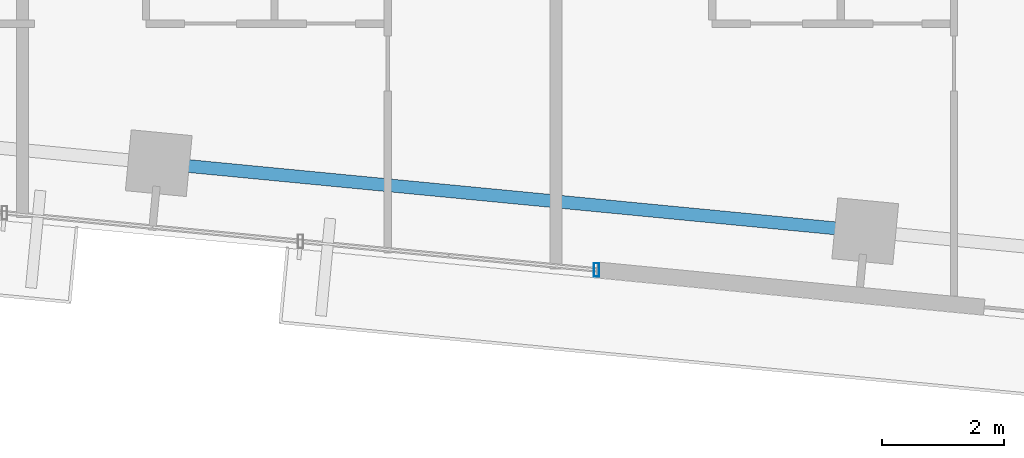
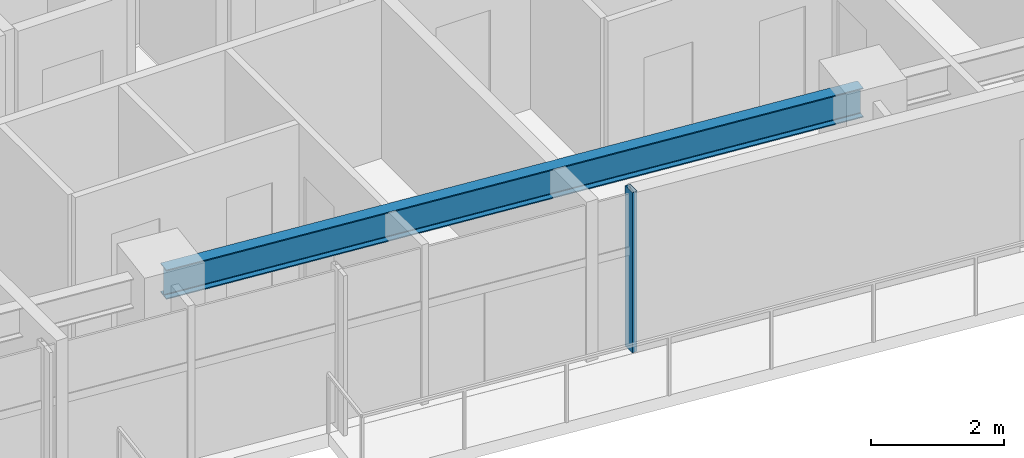
# One storey, part 8 of 19: 1 beam, 1 member, 1 element without a shape of its own.
"""IFC4 building model written with IfcOpenShell, lengths in metres."""

from ifc_helpers import new_model, si_unit, direction, frame, origin, origin_2d, place, context, subcontext, project, spatial, hollow_rectangle, i_section, extrude, source, transform, mapped, material, material_profile, profile_set, type_object, type_shapes, element, aggregate, save


model = new_model("IFC4")

# Units and contexts
model_context = context("Model", 3, precision=1e-05, world=origin(), true_north=direction((0.0, 1.0)))
body_context = subcontext(model_context, "Body", "Model", "MODEL_VIEW")
ifc_project = project(units=[si_unit("LENGTHUNIT", "METRE"), si_unit("AREAUNIT", "SQUARE_METRE"), si_unit("VOLUMEUNIT", "CUBIC_METRE"), si_unit("PLANEANGLEUNIT", "RADIAN"), si_unit("MASSUNIT", "GRAM", prefix="KILO")], contexts=[model_context])

# Site, building, storey
site_placement = place(None, origin())
site = spatial("IfcSite", under=ifc_project, at=site_placement, CompositionType="ELEMENT")
building_placement = place(site_placement, origin())
building = spatial("IfcBuilding", under=site, at=building_placement, Name="Astriad Promenade Condominiums", CompositionType="ELEMENT")
storey_placement = place(building_placement, frame((0.0, 0.0, 140.60009765625)))
storey = spatial("IfcBuildingStorey", under=building, at=storey_placement, Name="L40", CompositionType="ELEMENT", Elevation=140.60009765625)

# Beam
ifc_material_1 = material(Name="Steel ASTM A992 Grade 50", Category="steel")
ifc_material_profile_1 = material_profile(ifc_material_1, i_section(OverallWidth=0.210693359375, OverallDepth=0.53955078125, WebThickness=0.01171875, FlangeThickness=0.018798828125, FilletRadius=0.0166015625, at=origin_2d()), Name="W21X73")
ifc_profile_set_1 = profile_set([ifc_material_profile_1], Name="Steel ASTM A992 Grade 50")
beam_type = type_object("IfcBeamType", Name="STEEL SPANDREL BEAM W21X73", PredefinedType="SPANDREL", material=ifc_profile_set_1)
shared_shape_1 = source(origin(), body_context, "Body", "SweptSolid", [
    extrude(i_section(OverallWidth=0.210693359375, OverallDepth=0.53955078125, WebThickness=0.01171875, FlangeThickness=0.018798828125, FilletRadius=0.0166015625, at=origin_2d()), origin(), (0.0, 0.0, 1.0), 11.52001953125),
])
type_shapes(beam_type, [shared_shape_1])
beam_placement = place(storey_placement, frame((32.013671875, 8.2158203125, 2.670166015625), z_axis=(0.995397412028, -0.095833147335, 0.0), x_axis=(0.095833147335, 0.995397412028, 0.0)))
element("IfcBeam", 1, at=beam_placement, inside=storey, type_object=beam_type, Name="Perimeter Spandrel Beam SP-S3-L40", PredefinedType="SPANDREL", context=body_context, shape_type="MappedRepresentation", body=[
    mapped(shared_shape_1, transform((0.0, 0.0, 0.0), scale=1.0)),
])

# Curtain wall, member
ifc_material_2 = material(Name="Anodised aluminium Black Dark Glass Unitised", Category="aluminium")
curtain_wall_type = type_object("IfcCurtainWallType", Name="CW-B34-DARK", PredefinedType="USERDEFINED", material=ifc_material_2)
curtain_wall_placement = place(storey_placement, origin())
curtain_wall = element("IfcCurtainWall", 2, at=curtain_wall_placement, inside=storey, type_object=curtain_wall_type, Name="CW-L40-S", ObjectType="UNITISED_CURTAIN_WALL", PredefinedType="USERDEFINED")
ifc_material_3 = material(Name="Anodised aluminium 6063-T6 Black", Category="aluminium")
ifc_material_profile_2 = material_profile(ifc_material_3, hollow_rectangle(XDim=0.0849609375, YDim=0.219970703125, WallThickness=0.0048828125, at=origin_2d()), Name="ALU-MUL-85X220")
ifc_profile_set_2 = profile_set([ifc_material_profile_2], Name="Anodised aluminium 6063-T6 Black")
member_type = type_object("IfcMemberType", Name="MUL-ALU-MUL-85X220", PredefinedType="MULLION", material=ifc_profile_set_2)
shared_shape_2 = source(origin(), body_context, "Body", "SweptSolid", [
    extrude(hollow_rectangle(XDim=0.0849609375, YDim=0.219970703125, WallThickness=0.0048828125, at=origin_2d()), origin(), (0.0, 0.0, 1.0), 2.93994140625),
])
type_shapes(member_type, [shared_shape_2])
member_placement = place(storey_placement, frame((39.129638671875, 6.475830078125, 0.0), z_axis=(0.0, 0.0, 1.0), x_axis=(1.0, 0.0, 0.0)))
member = element("IfcMember", 3, at=member_placement, type_object=member_type, Name="CW-L40-S-MUL-00", PredefinedType="MULLION", context=body_context, shape_type="MappedRepresentation", body=[
    mapped(shared_shape_2, transform((0.0, 0.0, 0.0), scale=1.0)),
])
aggregate(curtain_wall, [member])

save(model, "model.ifc")
